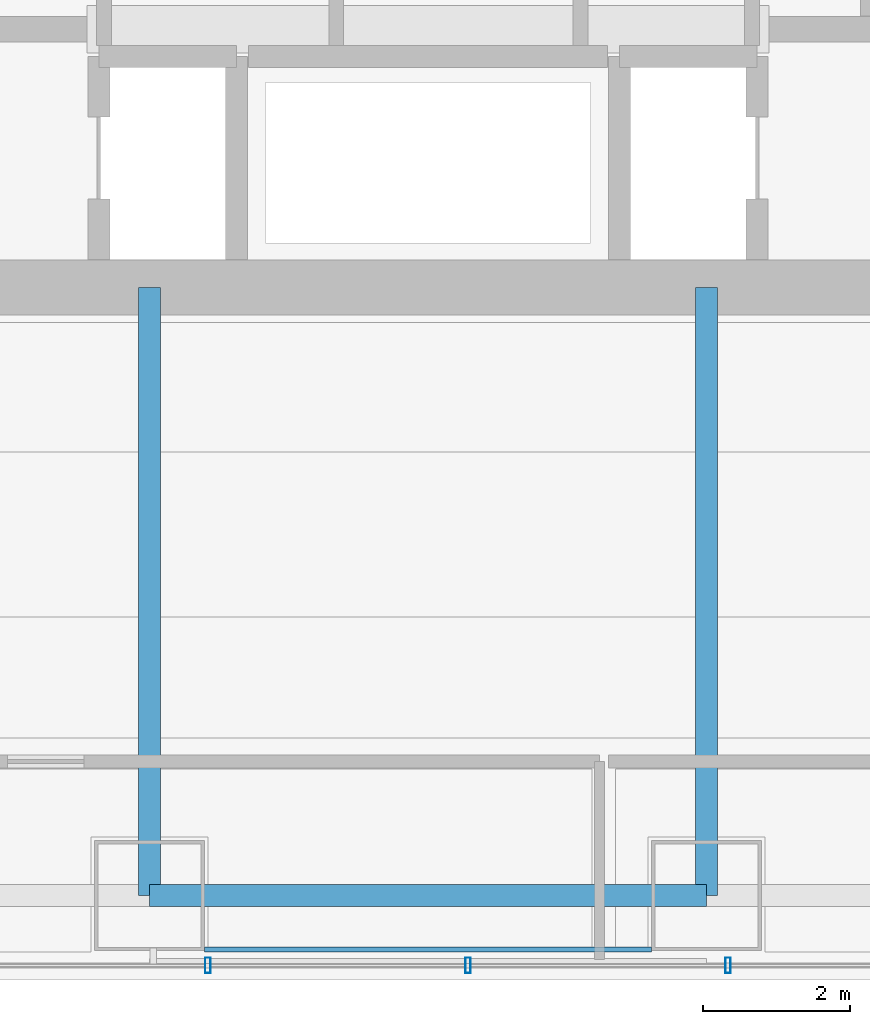
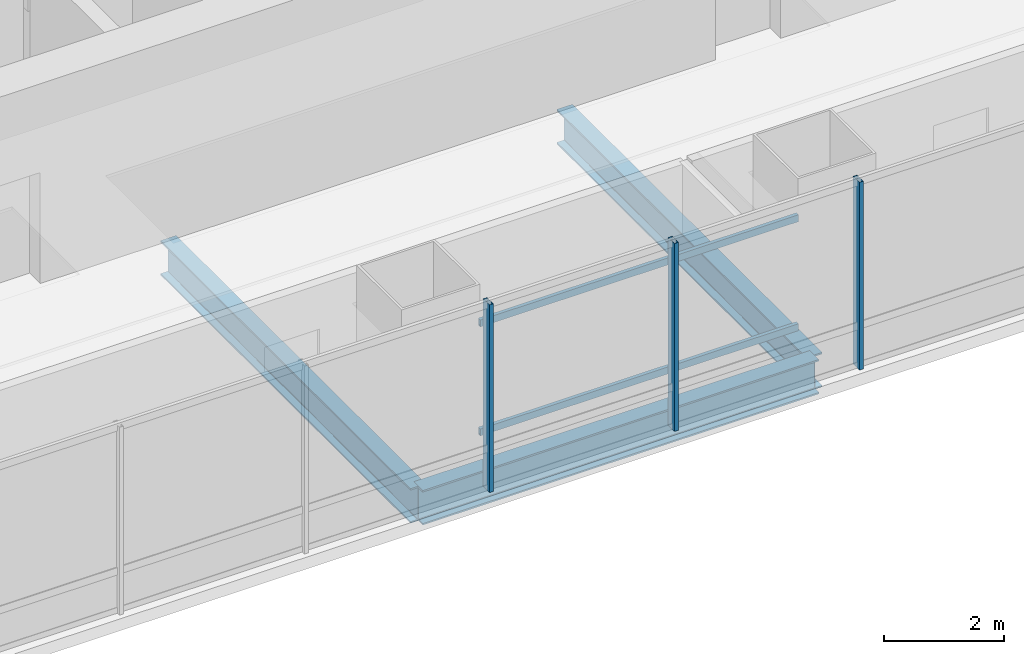
# One storey, part 5 of 35: 5 members, 3 beams, 1 element without a shape of its own.
"""IFC4 building model written with IfcOpenShell, lengths in metres."""

import ifcopenshell
import ifcopenshell.guid

model = None  # the IFC model being written
_history = None  # IfcOwnerHistory: only IFC2X3 demands one
_inside = {}  # id of a spatial element -> (the spatial element, [elements in it])
_under = {}  # id of a project, library or spatial element -> (it, [spatial elements below it])
_declared = {}  # id of a project -> (the project, [libraries it declares])
_typed = {}  # id of a type object -> (the type object, [elements of that type])
_made_of = {}  # id of a material, layer set ... -> (it, [elements and type objects made of it])


def new_model(schema):
    """Start an empty IFC model of exactly this schema.

    Asked for "IFC4X3", IfcOpenShell would pick the latest addendum, in which some entities
    have other attributes; the version numbers below select the first issue.
    IFC2X3 requires an IfcOwnerHistory on every rooted entity: one is made here for all.
    """
    global model, _history
    if schema == "IFC4X3":
        model = ifcopenshell.file(schema_version=(4, 3, 0, 0))
    else:
        model = ifcopenshell.file(schema=schema)
    _inside.clear()
    _under.clear()
    _declared.clear()
    _typed.clear()
    _made_of.clear()
    _history = None
    if model.schema == "IFC2X3":
        org = make("IfcOrganization", Name="unknown")
        user = make(
            "IfcPersonAndOrganization",
            ThePerson=make("IfcPerson", FamilyName="unknown"),
            TheOrganization=org,
        )
        app = make(
            "IfcApplication",
            ApplicationDeveloper=org,
            Version="unknown",
            ApplicationFullName="unknown",
            ApplicationIdentifier="unknown",
        )
        _history = make(
            "IfcOwnerHistory",
            OwningUser=user,
            OwningApplication=app,
            ChangeAction="ADDED",
            CreationDate=0,
        )
    return model


def make(cls, **values):
    """One entity of the class cls with the attributes given. An attribute that is None is left unset."""
    return model.create_entity(
        cls, **{name: value for name, value in values.items() if value is not None}
    )


def rooted(cls, **values):
    """An entity with a GlobalId (a new one), such as an element, a storey or a relation."""
    return make(cls, GlobalId=ifcopenshell.guid.new(), OwnerHistory=_history, **values)


def si_unit(unit_type, name, prefix=None):
    """IfcSIUnit, for example si_unit("LENGTHUNIT", "METRE", prefix="MILLI")."""
    return make("IfcSIUnit", UnitType=unit_type, Prefix=prefix, Name=name)


def assignment(units):
    """IfcUnitAssignment: the units of a project."""
    return None if units is None else make("IfcUnitAssignment", Units=units)


def point(xyz):
    """IfcCartesianPoint."""
    return None if xyz is None else make("IfcCartesianPoint", Coordinates=xyz)


def direction(xyz):
    """IfcDirection."""
    return None if xyz is None else make("IfcDirection", DirectionRatios=xyz)


def frame(location, z_axis=None, x_axis=None):
    """IfcAxis2Placement3D, a coordinate frame: its origin and axes. An axis left out is left unset."""
    return make(
        "IfcAxis2Placement3D",
        Location=point(location),
        Axis=direction(z_axis),
        RefDirection=direction(x_axis),
    )


def frame_2d(location, x_axis=None):
    """IfcAxis2Placement2D, a coordinate frame in the plane: its origin and x axis."""
    return make(
        "IfcAxis2Placement2D", Location=point(location), RefDirection=direction(x_axis)
    )


def origin():
    """The frame at (0, 0, 0) with its axes left unset."""
    return frame((0.0, 0.0, 0.0))


def origin_2d():
    """The frame at (0, 0) in the plane with its x axis left unset."""
    return frame_2d((0.0, 0.0))


def place(relative_to, where):
    """IfcLocalPlacement: puts the frame where relative to a parent placement (None: the world)."""
    return make(
        "IfcLocalPlacement", PlacementRelTo=relative_to, RelativePlacement=where
    )


def context(
    kind, dimensions, precision=None, world=None, true_north=None, identifier=None
):
    """IfcGeometricRepresentationContext, for example the 3D "Model" context."""
    return make(
        "IfcGeometricRepresentationContext",
        ContextIdentifier=identifier,
        ContextType=kind,
        CoordinateSpaceDimension=dimensions,
        Precision=precision,
        WorldCoordinateSystem=world,
        TrueNorth=true_north,
    )


def subcontext(parent, identifier, kind, view, scale=None):
    """IfcGeometricRepresentationSubContext, for example "Body" below "Model"."""
    return make(
        "IfcGeometricRepresentationSubContext",
        ContextIdentifier=identifier,
        ContextType=kind,
        ParentContext=parent,
        TargetScale=scale,
        TargetView=view,
    )


def project(units=None, contexts=None):
    """IfcProject with its units and contexts."""
    return rooted(
        "IfcProject",
        Name="project",
        RepresentationContexts=contexts,
        UnitsInContext=assignment(units),
    )


def spatial(cls, under=None, at=None, **own):
    """A site, building, storey or space (cls), placed at a placement, below another one or the project."""
    s = rooted(cls, ObjectPlacement=at, **own)
    if under is not None:
        _under.setdefault(under.id(), (under, []))[1].append(s)
    return s


def profile(cls, at=None, kind="AREA", **sizes):
    """A parametric profile (cls). Its sizes go by their IFC names, for example OverallWidth=200.0."""
    return make(cls, ProfileType=kind, Position=at, **sizes)


def hollow_rectangle(**sizes):
    """IfcRectangleHollowProfileDef."""
    return profile("IfcRectangleHollowProfileDef", **sizes)


def i_section(**sizes):
    """IfcIShapeProfileDef."""
    return profile("IfcIShapeProfileDef", **sizes)


def extrude(swept, where, along, depth):
    """IfcExtrudedAreaSolid: the profile swept, set in the frame where, extruded along a direction by depth."""
    return make(
        "IfcExtrudedAreaSolid",
        SweptArea=swept,
        Position=where,
        ExtrudedDirection=direction(along),
        Depth=depth,
    )


def shape(context_of_items, identifier, shape_type, items):
    """IfcShapeRepresentation: the items that make up one representation, for example the "Body"."""
    return make(
        "IfcShapeRepresentation",
        ContextOfItems=context_of_items,
        RepresentationIdentifier=identifier,
        RepresentationType=shape_type,
        Items=items,
    )


def material(Name=None, Category=None):
    """IfcMaterial."""
    return make("IfcMaterial", Name=Name, Category=Category)


def material_profile(
    of_material, cross_section, Name=None, Category=None, Priority=None
):
    """IfcMaterialProfile: a cross section and its material."""
    return make(
        "IfcMaterialProfile",
        Name=Name,
        Material=of_material,
        Profile=cross_section,
        Priority=Priority,
        Category=Category,
    )


def profile_set(profiles, Name=None, composite=None):
    """IfcMaterialProfileSet."""
    return make(
        "IfcMaterialProfileSet",
        Name=Name,
        MaterialProfiles=profiles,
        CompositeProfile=composite,
    )


def made_of(thing, what):
    """Note that an element or type object is made of a material, layer set ...; save() writes the relation."""
    if what is not None:
        _made_of.setdefault(what.id(), (what, []))[1].append(thing)
    return thing


def type_object(cls, material=None, **own):
    """A type object (cls), such as IfcWallType, which elements share."""
    return made_of(rooted(cls, **own), material)


def element(
    cls,
    number,
    at=None,
    inside=None,
    cuts=None,
    type_object=None,
    material=None,
    context=None,
    identifier="Body",
    shape_type=None,
    held_by="IfcProductDefinitionShape",
    body=None,
    shapes=None,
    **own,
):
    """One element of the class cls, such as IfcWall. Its Tag is "e" and its number.

    at: its placement. inside: the storey or other place that contains it. cuts: it is an
    opening in that element (IfcRelVoidsElement). A single representation is given by context,
    identifier, shape_type and body (its items); several are given by shapes. held_by: the class
    of the entity that holds the representations. save() writes the other relations.
    """
    e = rooted(cls, Tag="e%d" % number, ObjectPlacement=at, **own)
    if body is not None:
        shapes = [shape(context, identifier, shape_type, body)]
    if shapes is not None:
        e.Representation = make(held_by, Representations=shapes)
    if inside is not None:
        _inside.setdefault(inside.id(), (inside, []))[1].append(e)
    if cuts is not None:
        rooted(
            "IfcRelVoidsElement", RelatingBuildingElement=cuts, RelatedOpeningElement=e
        )
    if type_object is not None:
        _typed.setdefault(type_object.id(), (type_object, []))[1].append(e)
    return made_of(e, material)


def aggregate(whole, parts):
    """IfcRelAggregates: a whole, such as a stair, and the parts it consists of."""
    return rooted("IfcRelAggregates", RelatingObject=whole, RelatedObjects=parts)


def save(model, path):
    """Write the relations noted so far, then the file.

    IfcRelAggregates (storeys below a building ...), IfcRelContainedInSpatialStructure (elements
    in a storey), IfcRelDefinesByType, IfcRelAssociatesMaterial and IfcRelDeclares: one each for
    every whole, place, type object, material and project.
    """
    for whole, parts in _under.values():
        aggregate(whole, parts)
    for where, things in _inside.values():
        rooted(
            "IfcRelContainedInSpatialStructure",
            RelatedElements=things,
            RelatingStructure=where,
        )
    for kind, things in _typed.values():
        rooted("IfcRelDefinesByType", RelatedObjects=things, RelatingType=kind)
    for what, things in _made_of.values():
        rooted("IfcRelAssociatesMaterial", RelatedObjects=things, RelatingMaterial=what)
    for by, libraries in _declared.values():
        rooted("IfcRelDeclares", RelatingContext=by, RelatedDefinitions=libraries)
    model.write(path)


model = new_model("IFC4")

# Units and contexts
model_context = context("Model", 3, precision=1e-05, world=origin(), true_north=direction((0.0, 1.0)))
body_context = subcontext(model_context, "Body", "Model", "MODEL_VIEW")
ifc_project = project(units=[si_unit("LENGTHUNIT", "METRE"), si_unit("AREAUNIT", "SQUARE_METRE"), si_unit("VOLUMEUNIT", "CUBIC_METRE"), si_unit("PLANEANGLEUNIT", "RADIAN"), si_unit("MASSUNIT", "GRAM", prefix="KILO")], contexts=[model_context])

# Site, building, storey
site_placement = place(None, origin())
site = spatial("IfcSite", under=ifc_project, at=site_placement, CompositionType="ELEMENT")
building_placement = place(site_placement, origin())
building = spatial("IfcBuilding", under=site, at=building_placement, Name="Punatoya Terracotta Tower", CompositionType="ELEMENT")
storey_placement = place(building_placement, frame((0.0, 0.0, 113.25)))
storey = spatial("IfcBuildingStorey", under=building, at=storey_placement, Name="L26", CompositionType="ELEMENT", Elevation=113.25)

# Beams
ifc_material_1 = material(Name="Steel S355", Category="steel")
ifc_material_profile_1 = material_profile(ifc_material_1, i_section(OverallWidth=0.300048828125, OverallDepth=0.699951171875, WebThickness=0.01708984375, FlangeThickness=0.031982421875, FilletRadius=0.01806640625, at=origin_2d()))
ifc_profile_set_1 = profile_set([ifc_material_profile_1], Name="Steel S355")
beam_type = type_object("IfcBeamType", Name="BM-PRI-700", PredefinedType="BEAM", material=ifc_profile_set_1)
beam_placement = place(storey_placement, frame((-3.800048828125, -17.5, -0.590087890625), z_axis=(1.0, 0.0, 0.0), x_axis=(0.0, 1.0, 0.0)))
element("IfcBeam", 1, at=beam_placement, inside=storey, type_object=beam_type, Name="BM-L26-RG-S2", PredefinedType="BEAM", context=body_context, shape_type="SweptSolid", body=[
    extrude(i_section(OverallWidth=0.300048828125, OverallDepth=0.699951171875, WebThickness=0.01708984375, FlangeThickness=0.031982421875, FilletRadius=0.01806640625, at=origin_2d()), origin(), (0.0, 0.0, 1.0), 7.60009765625),
])
for number, where, z_axis, x_axis, name in (
    (2, (-3.800048828125, -17.5, -0.590087890625), (0.0, 1.0, 0.0), (-1.0, 0.0, 0.0), "BM-L26-PR-S2"),
    (3, (3.800048828125, -17.5, -0.590087890625), (0.0, 1.0, 0.0), (-1.0, 0.0, 0.0), "BM-L26-PR-S3"),
):
    element("IfcBeam", number, at=place(storey_placement, frame(where, z_axis=z_axis, x_axis=x_axis)), inside=storey, type_object=beam_type, Name=name, PredefinedType="BEAM", context=body_context, shape_type="SweptSolid", body=[
        extrude(i_section(OverallWidth=0.300048828125, OverallDepth=0.699951171875, WebThickness=0.01708984375, FlangeThickness=0.031982421875, FilletRadius=0.01806640625, at=origin_2d()), origin(), (0.0, 0.0, 1.0), 8.300048828125),
    ])

# Curtain wall, members
ifc_material_2 = material(Name="Aluminium 6063-T6 + Double Low-E Glass", Category="aluminium")
curtain_wall_type = type_object("IfcCurtainWallType", Name="CW-M1", PredefinedType="NOTDEFINED", material=ifc_material_2)
curtain_wall_placement = place(storey_placement, origin())
curtain_wall = element("IfcCurtainWall", 4, at=curtain_wall_placement, inside=storey, type_object=curtain_wall_type, Name="L26 Curtain Wall CW-L26-S01-1", PredefinedType="NOTDEFINED")
ifc_material_3 = material(Name="Aluminium 6063-T6", Category="aluminium")
ifc_material_profile_2 = material_profile(ifc_material_3, hollow_rectangle(XDim=0.074951171875, YDim=0.2099609375, WallThickness=0.00439453125, at=origin_2d()))
ifc_profile_set_2 = profile_set([ifc_material_profile_2], Name="Aluminium 6063-T6")
member_type_1 = type_object("IfcMemberType", Name="CW-MUL-M1", PredefinedType="MULLION", material=ifc_profile_set_2)
member_1_placement = place(storey_placement, frame((-3.00390625, -18.449951171875, 0.0), z_axis=(0.0, 0.0, 1.0), x_axis=(1.0, 0.0, 0.0)))
member_1 = element("IfcMember", 5, at=member_1_placement, type_object=member_type_1, Name="CW-L26-S01-1 Mullion 03", PredefinedType="MULLION", context=body_context, shape_type="SweptSolid", body=[
    extrude(hollow_rectangle(XDim=0.074951171875, YDim=0.2099609375, WallThickness=0.00439453125, at=origin_2d()), origin(), (0.0, 0.0, 1.0), 3.81005859375),
])
member_2_placement = place(storey_placement, frame((0.544921875, -18.449951171875, 0.0), z_axis=(0.0, 0.0, 1.0), x_axis=(1.0, 0.0, 0.0)))
member_2 = element("IfcMember", 6, at=member_2_placement, type_object=member_type_1, Name="CW-L26-S01-1 Mullion 04", PredefinedType="MULLION", context=body_context, shape_type="SweptSolid", body=[
    extrude(hollow_rectangle(XDim=0.074951171875, YDim=0.2099609375, WallThickness=0.00439453125, at=origin_2d()), origin(), (0.0, 0.0, 1.0), 3.81005859375),
])
member_3_placement = place(storey_placement, frame((4.093505859375, -18.449951171875, 0.0), z_axis=(0.0, 0.0, 1.0), x_axis=(1.0, 0.0, 0.0)))
member_3 = element("IfcMember", 7, at=member_3_placement, type_object=member_type_1, Name="CW-L26-S01-1 Mullion 05", PredefinedType="MULLION", context=body_context, shape_type="SweptSolid", body=[
    extrude(hollow_rectangle(XDim=0.074951171875, YDim=0.2099609375, WallThickness=0.00439453125, at=origin_2d()), origin(), (0.0, 0.0, 1.0), 3.81005859375),
])
aggregate(curtain_wall, [member_1, member_2, member_3])

# Members
ifc_material_profile_3 = material_profile(ifc_material_1, hollow_rectangle(XDim=0.070068359375, YDim=0.139892578125, WallThickness=0.006103515625, at=origin_2d()))
ifc_profile_set_3 = profile_set([ifc_material_profile_3], Name="Steel S355")
member_type_2 = type_object("IfcMemberType", Name="MEM-BAG-RAIL", PredefinedType="USERDEFINED", material=ifc_profile_set_3)
for number, where, z_axis, x_axis, name in (
    (8, (-3.050537109375, -18.23193359375, 1.050048828125), (1.0, 0.0, 0.0), (0.0, 1.0, 0.0), "L26 Terracotta Baguette Carrier Rail BAG-L26-S-R1"),
    (9, (-3.050537109375, -18.23193359375, 3.260009765625), (1.0, 0.0, 0.0), (0.0, 1.0, 0.0), "L26 Terracotta Baguette Carrier Rail BAG-L26-S-R2"),
):
    element("IfcMember", number, at=place(storey_placement, frame(where, z_axis=z_axis, x_axis=x_axis)), inside=storey, type_object=member_type_2, Name=name, ObjectType="BAGUETTE", PredefinedType="USERDEFINED", context=body_context, shape_type="SweptSolid", body=[
        extrude(hollow_rectangle(XDim=0.070068359375, YDim=0.139892578125, WallThickness=0.006103515625, at=origin_2d()), origin(), (0.0, 0.0, 1.0), 6.10107421875),
    ])

save(model, "model.ifc")
